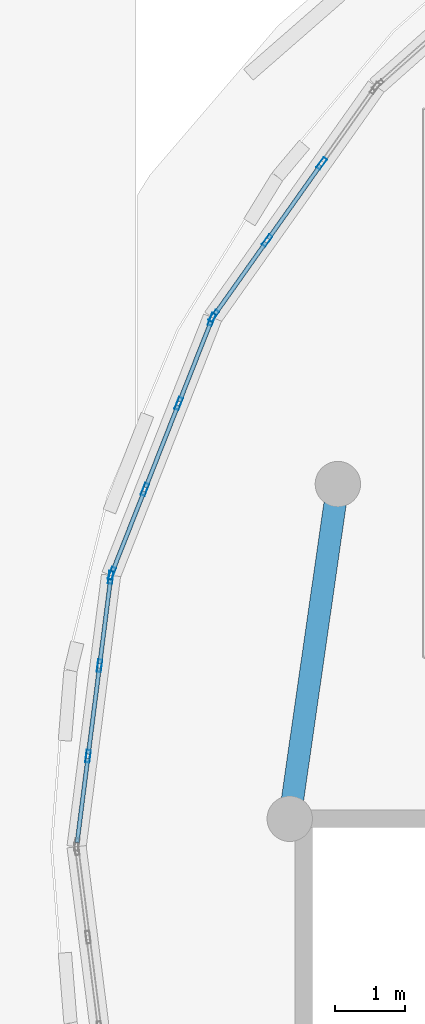
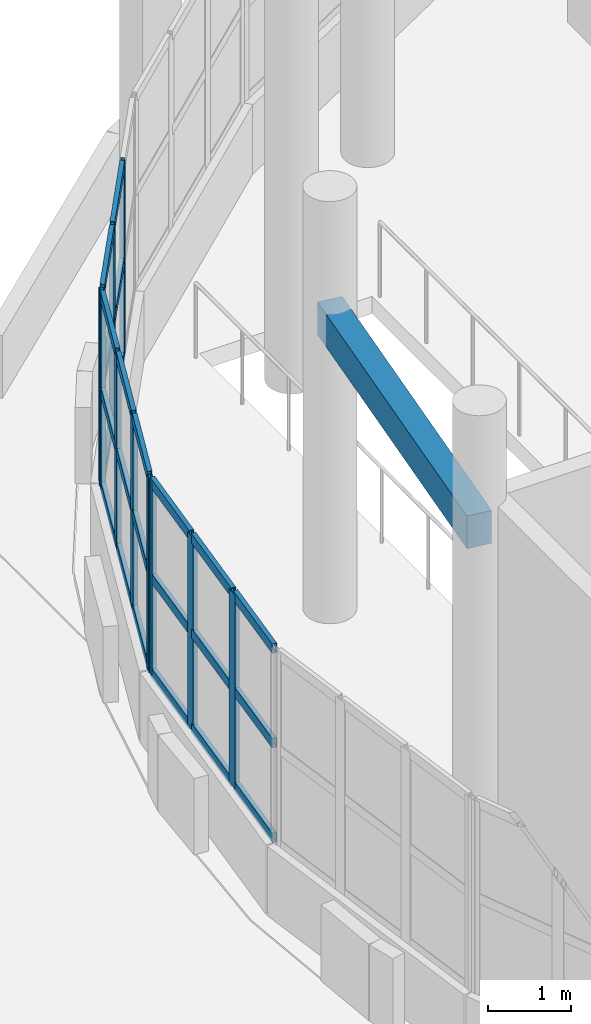
# One storey, part 6 of 105: 34 members, 1 beam, 3 elements without a shape of their own.
"""IFC4 building model written with IfcOpenShell, lengths in metres."""

import ifcopenshell
import ifcopenshell.guid

model = None  # the IFC model being written
_history = None  # IfcOwnerHistory: only IFC2X3 demands one
_inside = {}  # id of a spatial element -> (the spatial element, [elements in it])
_under = {}  # id of a project, library or spatial element -> (it, [spatial elements below it])
_declared = {}  # id of a project -> (the project, [libraries it declares])
_typed = {}  # id of a type object -> (the type object, [elements of that type])
_made_of = {}  # id of a material, layer set ... -> (it, [elements and type objects made of it])


def new_model(schema):
    """Start an empty IFC model of exactly this schema.

    Asked for "IFC4X3", IfcOpenShell would pick the latest addendum, in which some entities
    have other attributes; the version numbers below select the first issue.
    IFC2X3 requires an IfcOwnerHistory on every rooted entity: one is made here for all.
    """
    global model, _history
    if schema == "IFC4X3":
        model = ifcopenshell.file(schema_version=(4, 3, 0, 0))
    else:
        model = ifcopenshell.file(schema=schema)
    _inside.clear()
    _under.clear()
    _declared.clear()
    _typed.clear()
    _made_of.clear()
    _history = None
    if model.schema == "IFC2X3":
        org = make("IfcOrganization", Name="unknown")
        user = make(
            "IfcPersonAndOrganization",
            ThePerson=make("IfcPerson", FamilyName="unknown"),
            TheOrganization=org,
        )
        app = make(
            "IfcApplication",
            ApplicationDeveloper=org,
            Version="unknown",
            ApplicationFullName="unknown",
            ApplicationIdentifier="unknown",
        )
        _history = make(
            "IfcOwnerHistory",
            OwningUser=user,
            OwningApplication=app,
            ChangeAction="ADDED",
            CreationDate=0,
        )
    return model


def make(cls, **values):
    """One entity of the class cls with the attributes given. An attribute that is None is left unset."""
    return model.create_entity(
        cls, **{name: value for name, value in values.items() if value is not None}
    )


def rooted(cls, **values):
    """An entity with a GlobalId (a new one), such as an element, a storey or a relation."""
    return make(cls, GlobalId=ifcopenshell.guid.new(), OwnerHistory=_history, **values)


def si_unit(unit_type, name, prefix=None):
    """IfcSIUnit, for example si_unit("LENGTHUNIT", "METRE", prefix="MILLI")."""
    return make("IfcSIUnit", UnitType=unit_type, Prefix=prefix, Name=name)


def assignment(units):
    """IfcUnitAssignment: the units of a project."""
    return None if units is None else make("IfcUnitAssignment", Units=units)


def point(xyz):
    """IfcCartesianPoint."""
    return None if xyz is None else make("IfcCartesianPoint", Coordinates=xyz)


def direction(xyz):
    """IfcDirection."""
    return None if xyz is None else make("IfcDirection", DirectionRatios=xyz)


def frame(location, z_axis=None, x_axis=None):
    """IfcAxis2Placement3D, a coordinate frame: its origin and axes. An axis left out is left unset."""
    return make(
        "IfcAxis2Placement3D",
        Location=point(location),
        Axis=direction(z_axis),
        RefDirection=direction(x_axis),
    )


def frame_2d(location, x_axis=None):
    """IfcAxis2Placement2D, a coordinate frame in the plane: its origin and x axis."""
    return make(
        "IfcAxis2Placement2D", Location=point(location), RefDirection=direction(x_axis)
    )


def origin():
    """The frame at (0, 0, 0) with its axes left unset."""
    return frame((0.0, 0.0, 0.0))


def origin_2d():
    """The frame at (0, 0) in the plane with its x axis left unset."""
    return frame_2d((0.0, 0.0))


def place(relative_to, where):
    """IfcLocalPlacement: puts the frame where relative to a parent placement (None: the world)."""
    return make(
        "IfcLocalPlacement", PlacementRelTo=relative_to, RelativePlacement=where
    )


def context(
    kind, dimensions, precision=None, world=None, true_north=None, identifier=None
):
    """IfcGeometricRepresentationContext, for example the 3D "Model" context."""
    return make(
        "IfcGeometricRepresentationContext",
        ContextIdentifier=identifier,
        ContextType=kind,
        CoordinateSpaceDimension=dimensions,
        Precision=precision,
        WorldCoordinateSystem=world,
        TrueNorth=true_north,
    )


def subcontext(parent, identifier, kind, view, scale=None):
    """IfcGeometricRepresentationSubContext, for example "Body" below "Model"."""
    return make(
        "IfcGeometricRepresentationSubContext",
        ContextIdentifier=identifier,
        ContextType=kind,
        ParentContext=parent,
        TargetScale=scale,
        TargetView=view,
    )


def project(units=None, contexts=None):
    """IfcProject with its units and contexts."""
    return rooted(
        "IfcProject",
        Name="project",
        RepresentationContexts=contexts,
        UnitsInContext=assignment(units),
    )


def spatial(cls, under=None, at=None, **own):
    """A site, building, storey or space (cls), placed at a placement, below another one or the project."""
    s = rooted(cls, ObjectPlacement=at, **own)
    if under is not None:
        _under.setdefault(under.id(), (under, []))[1].append(s)
    return s


def profile(cls, at=None, kind="AREA", **sizes):
    """A parametric profile (cls). Its sizes go by their IFC names, for example OverallWidth=200.0."""
    return make(cls, ProfileType=kind, Position=at, **sizes)


def rectangle(**sizes):
    """IfcRectangleProfileDef."""
    return profile("IfcRectangleProfileDef", **sizes)


def hollow_rectangle(**sizes):
    """IfcRectangleHollowProfileDef."""
    return profile("IfcRectangleHollowProfileDef", **sizes)


def extrude(swept, where, along, depth):
    """IfcExtrudedAreaSolid: the profile swept, set in the frame where, extruded along a direction by depth."""
    return make(
        "IfcExtrudedAreaSolid",
        SweptArea=swept,
        Position=where,
        ExtrudedDirection=direction(along),
        Depth=depth,
    )


def shape(context_of_items, identifier, shape_type, items):
    """IfcShapeRepresentation: the items that make up one representation, for example the "Body"."""
    return make(
        "IfcShapeRepresentation",
        ContextOfItems=context_of_items,
        RepresentationIdentifier=identifier,
        RepresentationType=shape_type,
        Items=items,
    )


def material(Name=None, Category=None):
    """IfcMaterial."""
    return make("IfcMaterial", Name=Name, Category=Category)


def layer(
    of_material, thickness, ventilated=None, Name=None, Category=None, Priority=None
):
    """IfcMaterialLayer: one layer of a wall or slab, of a material (None: an air gap)."""
    return make(
        "IfcMaterialLayer",
        Material=of_material,
        LayerThickness=thickness,
        IsVentilated=ventilated,
        Name=Name,
        Category=Category,
        Priority=Priority,
    )


def layer_set(layers, Name=None):
    """IfcMaterialLayerSet."""
    return make("IfcMaterialLayerSet", MaterialLayers=layers, LayerSetName=Name)


def material_profile(
    of_material, cross_section, Name=None, Category=None, Priority=None
):
    """IfcMaterialProfile: a cross section and its material."""
    return make(
        "IfcMaterialProfile",
        Name=Name,
        Material=of_material,
        Profile=cross_section,
        Priority=Priority,
        Category=Category,
    )


def profile_set(profiles, Name=None, composite=None):
    """IfcMaterialProfileSet."""
    return make(
        "IfcMaterialProfileSet",
        Name=Name,
        MaterialProfiles=profiles,
        CompositeProfile=composite,
    )


def made_of(thing, what):
    """Note that an element or type object is made of a material, layer set ...; save() writes the relation."""
    if what is not None:
        _made_of.setdefault(what.id(), (what, []))[1].append(thing)
    return thing


def type_object(cls, material=None, **own):
    """A type object (cls), such as IfcWallType, which elements share."""
    return made_of(rooted(cls, **own), material)


def element(
    cls,
    number,
    at=None,
    inside=None,
    cuts=None,
    type_object=None,
    material=None,
    context=None,
    identifier="Body",
    shape_type=None,
    held_by="IfcProductDefinitionShape",
    body=None,
    shapes=None,
    **own,
):
    """One element of the class cls, such as IfcWall. Its Tag is "e" and its number.

    at: its placement. inside: the storey or other place that contains it. cuts: it is an
    opening in that element (IfcRelVoidsElement). A single representation is given by context,
    identifier, shape_type and body (its items); several are given by shapes. held_by: the class
    of the entity that holds the representations. save() writes the other relations.
    """
    e = rooted(cls, Tag="e%d" % number, ObjectPlacement=at, **own)
    if body is not None:
        shapes = [shape(context, identifier, shape_type, body)]
    if shapes is not None:
        e.Representation = make(held_by, Representations=shapes)
    if inside is not None:
        _inside.setdefault(inside.id(), (inside, []))[1].append(e)
    if cuts is not None:
        rooted(
            "IfcRelVoidsElement", RelatingBuildingElement=cuts, RelatedOpeningElement=e
        )
    if type_object is not None:
        _typed.setdefault(type_object.id(), (type_object, []))[1].append(e)
    return made_of(e, material)


def aggregate(whole, parts):
    """IfcRelAggregates: a whole, such as a stair, and the parts it consists of."""
    return rooted("IfcRelAggregates", RelatingObject=whole, RelatedObjects=parts)


def save(model, path):
    """Write the relations noted so far, then the file.

    IfcRelAggregates (storeys below a building ...), IfcRelContainedInSpatialStructure (elements
    in a storey), IfcRelDefinesByType, IfcRelAssociatesMaterial and IfcRelDeclares: one each for
    every whole, place, type object, material and project.
    """
    for whole, parts in _under.values():
        aggregate(whole, parts)
    for where, things in _inside.values():
        rooted(
            "IfcRelContainedInSpatialStructure",
            RelatedElements=things,
            RelatingStructure=where,
        )
    for kind, things in _typed.values():
        rooted("IfcRelDefinesByType", RelatedObjects=things, RelatingType=kind)
    for what, things in _made_of.values():
        rooted("IfcRelAssociatesMaterial", RelatedObjects=things, RelatingMaterial=what)
    for by, libraries in _declared.values():
        rooted("IfcRelDeclares", RelatingContext=by, RelatedDefinitions=libraries)
    model.write(path)


model = new_model("IFC4")

# Units and contexts
model_context = context("Model", 3, precision=1e-05, world=origin(), true_north=direction((0.0, 1.0)))
body_context = subcontext(model_context, "Body", "Model", "MODEL_VIEW")
ifc_project = project(units=[si_unit("LENGTHUNIT", "METRE"), si_unit("AREAUNIT", "SQUARE_METRE"), si_unit("VOLUMEUNIT", "CUBIC_METRE"), si_unit("PLANEANGLEUNIT", "RADIAN"), si_unit("MASSUNIT", "GRAM", prefix="KILO")], contexts=[model_context])

# Site, building, storey
site_placement = place(None, origin())
site = spatial("IfcSite", under=ifc_project, at=site_placement, CompositionType="ELEMENT")
building_placement = place(site_placement, origin())
building = spatial("IfcBuilding", under=site, at=building_placement, Name="Pelvatis Terrace Science Centre", CompositionType="ELEMENT")
storey_placement = place(building_placement, frame((0.0, 0.0, 10.199951171875)))
storey = spatial("IfcBuildingStorey", under=building, at=storey_placement, Name="L02", CompositionType="ELEMENT", Elevation=10.199951171875)

# Beam
ifc_material_1 = material(Name="Concrete C35/45", Category="concrete")
ifc_material_profile_1 = material_profile(ifc_material_1, rectangle(XDim=0.320068359375, YDim=0.47998046875, at=origin_2d()), Name="RC-BM 320x480")
ifc_profile_set_1 = profile_set([ifc_material_profile_1], Name="Concrete C35/45")
beam_type = type_object("IfcBeamType", Name="BM-RC-320x480", PredefinedType="BEAM", material=ifc_profile_set_1)
beam_placement = place(storey_placement, frame((61.688720703125, 59.389404296875, 4.300048828125), z_axis=(-0.142339615489, -0.989817879139, 0.0), x_axis=(0.989817879139, -0.142339615489, 0.0)))
element("IfcBeam", 1, at=beam_placement, inside=storey, type_object=beam_type, Name="Beam BM-L02-2879", PredefinedType="BEAM", context=body_context, shape_type="SweptSolid", body=[
    extrude(rectangle(XDim=0.320068359375, YDim=0.47998046875, at=origin_2d()), origin(), (0.0, 0.0, 1.0), 4.838623046875),
])

# Curtain wall, members
ifc_material_2 = material(Name="Bronze-anodised aluminium and laminated glass", Category="aluminium")
ifc_layer = layer(ifc_material_2, 0.179931640625)
ifc_layer_set = layer_set([ifc_layer], Name="Bronze-anodised aluminium and laminated glass")
curtain_wall_type = type_object("IfcCurtainWallType", Name="CW-RIBBON-A", PredefinedType="NOTDEFINED", material=ifc_layer_set)
curtain_wall_1_placement = place(storey_placement, origin())
curtain_wall_1 = element("IfcCurtainWall", 2, at=curtain_wall_1_placement, inside=storey, type_object=curtain_wall_type, Name="Ribbon curtain wall CW-084 (L02)", PredefinedType="NOTDEFINED")
ifc_material_3 = material(Name="Bronze-anodised aluminium 6063-T6", Category="aluminium")
ifc_material_profile_2 = material_profile(ifc_material_3, hollow_rectangle(XDim=0.06005859375, YDim=0.179931640625, WallThickness=0.00390625, at=origin_2d()), Name="ALU-MUL 60x180")
ifc_profile_set_2 = profile_set([ifc_material_profile_2], Name="Bronze-anodised aluminium 6063-T6")
member_type_1 = type_object("IfcMemberType", Name="CWM-60x180", PredefinedType="MULLION", material=ifc_profile_set_2)
member_1_placement = place(storey_placement, frame((61.456787109375, 63.97705078125, 1.02001953125), z_axis=(0.0, 0.0, 1.0), x_axis=(0.8163259778, -0.57759146286, 0.0)))
member_1 = element("IfcMember", 3, at=member_1_placement, type_object=member_type_1, Name="CW-084 mullion 2", PredefinedType="MULLION", context=body_context, shape_type="SweptSolid", body=[
    extrude(hollow_rectangle(XDim=0.06005859375, YDim=0.179931640625, WallThickness=0.00390625, at=origin_2d()), origin(), (0.0, 0.0, 1.0), 2.840087890625),
])
member_2_placement = place(storey_placement, frame((60.67626953125, 62.874267578125, 1.02001953125), z_axis=(0.0, 0.0, 1.0), x_axis=(0.8163259778, -0.57759146286, 0.0)))
member_2 = element("IfcMember", 4, at=member_2_placement, type_object=member_type_1, Name="CW-084 mullion 3", PredefinedType="MULLION", context=body_context, shape_type="SweptSolid", body=[
    extrude(hollow_rectangle(XDim=0.06005859375, YDim=0.179931640625, WallThickness=0.00390625, at=origin_2d()), origin(), (0.0, 0.0, 1.0), 2.840087890625),
])
member_3_placement = place(storey_placement, frame((59.913330078125, 61.7958984375, 1.02001953125), z_axis=(0.0, 0.0, 1.0), x_axis=(0.8163259778, -0.57759146286, 0.0)))
member_3 = element("IfcMember", 5, at=member_3_placement, type_object=member_type_1, Name="CW-084 mullion 4", PredefinedType="MULLION", context=body_context, shape_type="SweptSolid", body=[
    extrude(hollow_rectangle(XDim=0.06005859375, YDim=0.179931640625, WallThickness=0.00390625, at=origin_2d()), origin(), (0.0, 0.0, 1.0), 2.840087890625),
])

curtain_wall_2_placement = place(storey_placement, origin())
curtain_wall_2 = element("IfcCurtainWall", 6, at=curtain_wall_2_placement, inside=storey, type_object=curtain_wall_type, Name="Ribbon curtain wall CW-085 (L02)", PredefinedType="NOTDEFINED")
member_4_placement = place(storey_placement, frame((59.885009765625, 61.743408203125, 1.02001953125), z_axis=(0.0, 0.0, 1.0), x_axis=(0.930379715899, -0.366597305287, 0.0)))
member_4 = element("IfcMember", 7, at=member_4_placement, type_object=member_type_1, Name="CW-085 mullion 1", PredefinedType="MULLION", context=body_context, shape_type="SweptSolid", body=[
    extrude(hollow_rectangle(XDim=0.06005859375, YDim=0.179931640625, WallThickness=0.00390625, at=origin_2d()), origin(), (0.0, 0.0, 1.0), 2.840087890625),
])
member_5_placement = place(storey_placement, frame((59.41162109375, 60.541748046875, 1.02001953125), z_axis=(0.0, 0.0, 1.0), x_axis=(0.930379715899, -0.366597305287, 0.0)))
member_5 = element("IfcMember", 8, at=member_5_placement, type_object=member_type_1, Name="CW-085 mullion 2", PredefinedType="MULLION", context=body_context, shape_type="SweptSolid", body=[
    extrude(hollow_rectangle(XDim=0.06005859375, YDim=0.179931640625, WallThickness=0.00390625, at=origin_2d()), origin(), (0.0, 0.0, 1.0), 2.840087890625),
])
member_6_placement = place(storey_placement, frame((58.92724609375, 59.3125, 1.02001953125), z_axis=(0.0, 0.0, 1.0), x_axis=(0.930379715899, -0.366597305287, 0.0)))
member_6 = element("IfcMember", 9, at=member_6_placement, type_object=member_type_1, Name="CW-085 mullion 3", PredefinedType="MULLION", context=body_context, shape_type="SweptSolid", body=[
    extrude(hollow_rectangle(XDim=0.06005859375, YDim=0.179931640625, WallThickness=0.00390625, at=origin_2d()), origin(), (0.0, 0.0, 1.0), 2.840087890625),
])
member_7_placement = place(storey_placement, frame((58.45361328125, 58.11083984375, 1.02001953125), z_axis=(0.0, 0.0, 1.0), x_axis=(0.930379715899, -0.366597305287, 0.0)))
member_7 = element("IfcMember", 10, at=member_7_placement, type_object=member_type_1, Name="CW-085 mullion 4", PredefinedType="MULLION", context=body_context, shape_type="SweptSolid", body=[
    extrude(hollow_rectangle(XDim=0.06005859375, YDim=0.179931640625, WallThickness=0.00390625, at=origin_2d()), origin(), (0.0, 0.0, 1.0), 2.840087890625),
])

curtain_wall_3_placement = place(storey_placement, origin())
curtain_wall_3 = element("IfcCurtainWall", 11, at=curtain_wall_3_placement, inside=storey, type_object=curtain_wall_type, Name="Ribbon curtain wall CW-086 (L02)", PredefinedType="NOTDEFINED")
member_8_placement = place(storey_placement, frame((58.43896484375, 58.05322265625, 1.02001953125), z_axis=(0.0, 0.0, 1.0), x_axis=(0.992045836863, -0.125877152665, 0.0)))
member_8 = element("IfcMember", 12, at=member_8_placement, type_object=member_type_1, Name="CW-086 mullion 1", PredefinedType="MULLION", context=body_context, shape_type="SweptSolid", body=[
    extrude(hollow_rectangle(XDim=0.06005859375, YDim=0.179931640625, WallThickness=0.00390625, at=origin_2d()), origin(), (0.0, 0.0, 1.0), 2.840087890625),
])
member_9_placement = place(storey_placement, frame((58.278564453125, 56.78857421875, 1.02001953125), z_axis=(0.0, 0.0, 1.0), x_axis=(0.992045836863, -0.125877152665, 0.0)))
member_9 = element("IfcMember", 13, at=member_9_placement, type_object=member_type_1, Name="CW-086 mullion 2", PredefinedType="MULLION", context=body_context, shape_type="SweptSolid", body=[
    extrude(hollow_rectangle(XDim=0.06005859375, YDim=0.179931640625, WallThickness=0.00390625, at=origin_2d()), origin(), (0.0, 0.0, 1.0), 2.840087890625),
])
member_10_placement = place(storey_placement, frame((58.1142578125, 55.494384765625, 1.02001953125), z_axis=(0.0, 0.0, 1.0), x_axis=(0.992045836863, -0.125877152665, 0.0)))
member_10 = element("IfcMember", 14, at=member_10_placement, type_object=member_type_1, Name="CW-086 mullion 3", PredefinedType="MULLION", context=body_context, shape_type="SweptSolid", body=[
    extrude(hollow_rectangle(XDim=0.06005859375, YDim=0.179931640625, WallThickness=0.00390625, at=origin_2d()), origin(), (0.0, 0.0, 1.0), 2.840087890625),
])

# Member
ifc_material_4 = material(Name="Bronze-anodised aluminium 6063-T6", Category="aluminium")
ifc_material_profile_3 = material_profile(ifc_material_4, hollow_rectangle(XDim=0.06005859375, YDim=0.139892578125, WallThickness=0.00390625, at=origin_2d()), Name="ALU-TRN 60x140")
ifc_profile_set_3 = profile_set([ifc_material_profile_3], Name="Bronze-anodised aluminium 6063-T6")
member_type_2 = type_object("IfcMemberType", Name="CWT-60x140", PredefinedType="USERDEFINED", material=ifc_profile_set_3)
member_11_placement = place(storey_placement, frame((61.439453125, 63.95263671875, 1.050048828125), z_axis=(-0.57765528958, -0.816280813459, 0.0), x_axis=(0.816280813459, -0.57765528958, 0.0)))
member_11 = element("IfcMember", 15, at=member_11_placement, type_object=member_type_2, Name="CW-084 transom 2.1", ObjectType="TRANSOM", PredefinedType="USERDEFINED", context=body_context, shape_type="SweptSolid", body=[
    extrude(hollow_rectangle(XDim=0.06005859375, YDim=0.139892578125, WallThickness=0.00390625, at=origin_2d()), origin(), (0.0, 0.0, 1.0), 1.291259765625),
])

member_12_placement = place(storey_placement, frame((61.439453125, 63.95263671875, 2.43994140625), z_axis=(-0.57765528958, -0.816280813459, 0.0), x_axis=(0.816280813459, -0.57765528958, 0.0)))
member_12 = element("IfcMember", 16, at=member_12_placement, type_object=member_type_2, Name="CW-084 transom 2.2", ObjectType="TRANSOM", PredefinedType="USERDEFINED", context=body_context, shape_type="SweptSolid", body=[
    extrude(hollow_rectangle(XDim=0.06005859375, YDim=0.139892578125, WallThickness=0.00390625, at=origin_2d()), origin(), (0.0, 0.0, 1.0), 1.291259765625),
])

member_13_placement = place(storey_placement, frame((61.439453125, 63.95263671875, 3.830078125), z_axis=(-0.57765528958, -0.816280813459, 0.0), x_axis=(0.816280813459, -0.57765528958, 0.0)))
member_13 = element("IfcMember", 17, at=member_13_placement, type_object=member_type_2, Name="CW-084 transom 2.3", ObjectType="TRANSOM", PredefinedType="USERDEFINED", context=body_context, shape_type="SweptSolid", body=[
    extrude(hollow_rectangle(XDim=0.06005859375, YDim=0.139892578125, WallThickness=0.00390625, at=origin_2d()), origin(), (0.0, 0.0, 1.0), 1.291259765625),
])

member_14_placement = place(storey_placement, frame((60.658935546875, 62.849609375, 1.050048828125), z_axis=(-0.577587477213, -0.81632879783, 0.0), x_axis=(0.81632879783, -0.577587477213, 0.0)))
member_14 = element("IfcMember", 18, at=member_14_placement, type_object=member_type_2, Name="CW-084 transom 3.1", ObjectType="TRANSOM", PredefinedType="USERDEFINED", context=body_context, shape_type="SweptSolid", body=[
    extrude(hollow_rectangle(XDim=0.06005859375, YDim=0.139892578125, WallThickness=0.00390625, at=origin_2d()), origin(), (0.0, 0.0, 1.0), 1.260986328125),
])

member_15_placement = place(storey_placement, frame((60.658935546875, 62.849609375, 2.43994140625), z_axis=(-0.577587477213, -0.81632879783, 0.0), x_axis=(0.81632879783, -0.577587477213, 0.0)))
member_15 = element("IfcMember", 19, at=member_15_placement, type_object=member_type_2, Name="CW-084 transom 3.2", ObjectType="TRANSOM", PredefinedType="USERDEFINED", context=body_context, shape_type="SweptSolid", body=[
    extrude(hollow_rectangle(XDim=0.06005859375, YDim=0.139892578125, WallThickness=0.00390625, at=origin_2d()), origin(), (0.0, 0.0, 1.0), 1.260986328125),
])

member_16_placement = place(storey_placement, frame((60.658935546875, 62.849609375, 3.830078125), z_axis=(-0.577587477213, -0.81632879783, 0.0), x_axis=(0.81632879783, -0.577587477213, 0.0)))
member_16 = element("IfcMember", 20, at=member_16_placement, type_object=member_type_2, Name="CW-084 transom 3.3", ObjectType="TRANSOM", PredefinedType="USERDEFINED", context=body_context, shape_type="SweptSolid", body=[
    extrude(hollow_rectangle(XDim=0.06005859375, YDim=0.139892578125, WallThickness=0.00390625, at=origin_2d()), origin(), (0.0, 0.0, 1.0), 1.260986328125),
])

aggregate(curtain_wall_1, [member_1, member_2, member_3, member_11, member_12, member_13, member_14, member_15, member_16])

member_17_placement = place(storey_placement, frame((59.8740234375, 61.715576171875, 1.050048828125), z_axis=(-0.366566122362, -0.930392002296, 0.0), x_axis=(0.930392002296, -0.366566122362, 0.0)))
member_17 = element("IfcMember", 21, at=member_17_placement, type_object=member_type_2, Name="CW-085 transom 1.1", ObjectType="TRANSOM", PredefinedType="USERDEFINED", context=body_context, shape_type="SweptSolid", body=[
    extrude(hollow_rectangle(XDim=0.06005859375, YDim=0.139892578125, WallThickness=0.00390625, at=origin_2d()), origin(), (0.0, 0.0, 1.0), 1.2314453125),
])

member_18_placement = place(storey_placement, frame((59.8740234375, 61.715576171875, 2.43994140625), z_axis=(-0.366566122362, -0.930392002296, 0.0), x_axis=(0.930392002296, -0.366566122362, 0.0)))
member_18 = element("IfcMember", 22, at=member_18_placement, type_object=member_type_2, Name="CW-085 transom 1.2", ObjectType="TRANSOM", PredefinedType="USERDEFINED", context=body_context, shape_type="SweptSolid", body=[
    extrude(hollow_rectangle(XDim=0.06005859375, YDim=0.139892578125, WallThickness=0.00390625, at=origin_2d()), origin(), (0.0, 0.0, 1.0), 1.2314453125),
])

member_19_placement = place(storey_placement, frame((59.8740234375, 61.715576171875, 3.830078125), z_axis=(-0.366566122362, -0.930392002296, 0.0), x_axis=(0.930392002296, -0.366566122362, 0.0)))
member_19 = element("IfcMember", 23, at=member_19_placement, type_object=member_type_2, Name="CW-085 transom 1.3", ObjectType="TRANSOM", PredefinedType="USERDEFINED", context=body_context, shape_type="SweptSolid", body=[
    extrude(hollow_rectangle(XDim=0.06005859375, YDim=0.139892578125, WallThickness=0.00390625, at=origin_2d()), origin(), (0.0, 0.0, 1.0), 1.2314453125),
])

member_20_placement = place(storey_placement, frame((59.400634765625, 60.513916015625, 1.050048828125), z_axis=(-0.366580366698, -0.930386390029, 0.0), x_axis=(0.930386390029, -0.366580366698, 0.0)))
member_20 = element("IfcMember", 24, at=member_20_placement, type_object=member_type_2, Name="CW-085 transom 2.1", ObjectType="TRANSOM", PredefinedType="USERDEFINED", context=body_context, shape_type="SweptSolid", body=[
    extrude(hollow_rectangle(XDim=0.06005859375, YDim=0.139892578125, WallThickness=0.00390625, at=origin_2d()), origin(), (0.0, 0.0, 1.0), 1.261474609375),
])

member_21_placement = place(storey_placement, frame((59.400634765625, 60.513916015625, 2.43994140625), z_axis=(-0.366580366698, -0.930386390029, 0.0), x_axis=(0.930386390029, -0.366580366698, 0.0)))
member_21 = element("IfcMember", 25, at=member_21_placement, type_object=member_type_2, Name="CW-085 transom 2.2", ObjectType="TRANSOM", PredefinedType="USERDEFINED", context=body_context, shape_type="SweptSolid", body=[
    extrude(hollow_rectangle(XDim=0.06005859375, YDim=0.139892578125, WallThickness=0.00390625, at=origin_2d()), origin(), (0.0, 0.0, 1.0), 1.261474609375),
])

member_22_placement = place(storey_placement, frame((59.400634765625, 60.513916015625, 3.830078125), z_axis=(-0.366580366698, -0.930386390029, 0.0), x_axis=(0.930386390029, -0.366580366698, 0.0)))
member_22 = element("IfcMember", 26, at=member_22_placement, type_object=member_type_2, Name="CW-085 transom 2.3", ObjectType="TRANSOM", PredefinedType="USERDEFINED", context=body_context, shape_type="SweptSolid", body=[
    extrude(hollow_rectangle(XDim=0.06005859375, YDim=0.139892578125, WallThickness=0.00390625, at=origin_2d()), origin(), (0.0, 0.0, 1.0), 1.261474609375),
])

member_23_placement = place(storey_placement, frame((58.916015625, 59.284423828125, 1.050048828125), z_axis=(-0.366633747413, -0.930365355792, 0.0), x_axis=(0.930365355792, -0.366633747413, 0.0)))
member_23 = element("IfcMember", 27, at=member_23_placement, type_object=member_type_2, Name="CW-085 transom 3.1", ObjectType="TRANSOM", PredefinedType="USERDEFINED", context=body_context, shape_type="SweptSolid", body=[
    extrude(hollow_rectangle(XDim=0.06005859375, YDim=0.139892578125, WallThickness=0.00390625, at=origin_2d()), origin(), (0.0, 0.0, 1.0), 1.231201171875),
])

member_24_placement = place(storey_placement, frame((58.916015625, 59.284423828125, 2.43994140625), z_axis=(-0.366633747413, -0.930365355792, 0.0), x_axis=(0.930365355792, -0.366633747413, 0.0)))
member_24 = element("IfcMember", 28, at=member_24_placement, type_object=member_type_2, Name="CW-085 transom 3.2", ObjectType="TRANSOM", PredefinedType="USERDEFINED", context=body_context, shape_type="SweptSolid", body=[
    extrude(hollow_rectangle(XDim=0.06005859375, YDim=0.139892578125, WallThickness=0.00390625, at=origin_2d()), origin(), (0.0, 0.0, 1.0), 1.231201171875),
])

member_25_placement = place(storey_placement, frame((58.916015625, 59.284423828125, 3.830078125), z_axis=(-0.366633747413, -0.930365355792, 0.0), x_axis=(0.930365355792, -0.366633747413, 0.0)))
member_25 = element("IfcMember", 29, at=member_25_placement, type_object=member_type_2, Name="CW-085 transom 3.3", ObjectType="TRANSOM", PredefinedType="USERDEFINED", context=body_context, shape_type="SweptSolid", body=[
    extrude(hollow_rectangle(XDim=0.06005859375, YDim=0.139892578125, WallThickness=0.00390625, at=origin_2d()), origin(), (0.0, 0.0, 1.0), 1.231201171875),
])

aggregate(curtain_wall_2, [member_4, member_5, member_6, member_7, member_17, member_18, member_19, member_20, member_21, member_22, member_23, member_24, member_25])

member_26_placement = place(storey_placement, frame((58.43505859375, 58.0234375, 1.050048828125), z_axis=(-0.125815556184, -0.992053650677, 0.0), x_axis=(0.992053650677, -0.125815556184, 0.0)))
member_26 = element("IfcMember", 30, at=member_26_placement, type_object=member_type_2, Name="CW-086 transom 1.1", ObjectType="TRANSOM", PredefinedType="USERDEFINED", context=body_context, shape_type="SweptSolid", body=[
    extrude(hollow_rectangle(XDim=0.06005859375, YDim=0.139892578125, WallThickness=0.00390625, at=origin_2d()), origin(), (0.0, 0.0, 1.0), 1.21484375),
])

member_27_placement = place(storey_placement, frame((58.43505859375, 58.0234375, 2.43994140625), z_axis=(-0.125815556184, -0.992053650677, 0.0), x_axis=(0.992053650677, -0.125815556184, 0.0)))
member_27 = element("IfcMember", 31, at=member_27_placement, type_object=member_type_2, Name="CW-086 transom 1.2", ObjectType="TRANSOM", PredefinedType="USERDEFINED", context=body_context, shape_type="SweptSolid", body=[
    extrude(hollow_rectangle(XDim=0.06005859375, YDim=0.139892578125, WallThickness=0.00390625, at=origin_2d()), origin(), (0.0, 0.0, 1.0), 1.21484375),
])

member_28_placement = place(storey_placement, frame((58.43505859375, 58.0234375, 3.830078125), z_axis=(-0.125815556184, -0.992053650677, 0.0), x_axis=(0.992053650677, -0.125815556184, 0.0)))
member_28 = element("IfcMember", 32, at=member_28_placement, type_object=member_type_2, Name="CW-086 transom 1.3", ObjectType="TRANSOM", PredefinedType="USERDEFINED", context=body_context, shape_type="SweptSolid", body=[
    extrude(hollow_rectangle(XDim=0.06005859375, YDim=0.139892578125, WallThickness=0.00390625, at=origin_2d()), origin(), (0.0, 0.0, 1.0), 1.21484375),
])

member_29_placement = place(storey_placement, frame((58.274658203125, 56.7587890625, 1.050048828125), z_axis=(-0.125941892838, -0.992037620067, 0.0), x_axis=(0.992037620067, -0.125941892838, 0.0)))
member_29 = element("IfcMember", 33, at=member_29_placement, type_object=member_type_2, Name="CW-086 transom 2.1", ObjectType="TRANSOM", PredefinedType="USERDEFINED", context=body_context, shape_type="SweptSolid", body=[
    extrude(hollow_rectangle(XDim=0.06005859375, YDim=0.139892578125, WallThickness=0.00390625, at=origin_2d()), origin(), (0.0, 0.0, 1.0), 1.24462890625),
])

member_30_placement = place(storey_placement, frame((58.274658203125, 56.7587890625, 2.43994140625), z_axis=(-0.125941892838, -0.992037620067, 0.0), x_axis=(0.992037620067, -0.125941892838, 0.0)))
member_30 = element("IfcMember", 34, at=member_30_placement, type_object=member_type_2, Name="CW-086 transom 2.2", ObjectType="TRANSOM", PredefinedType="USERDEFINED", context=body_context, shape_type="SweptSolid", body=[
    extrude(hollow_rectangle(XDim=0.06005859375, YDim=0.139892578125, WallThickness=0.00390625, at=origin_2d()), origin(), (0.0, 0.0, 1.0), 1.24462890625),
])

member_31_placement = place(storey_placement, frame((58.274658203125, 56.7587890625, 3.830078125), z_axis=(-0.125941892838, -0.992037620067, 0.0), x_axis=(0.992037620067, -0.125941892838, 0.0)))
member_31 = element("IfcMember", 35, at=member_31_placement, type_object=member_type_2, Name="CW-086 transom 2.3", ObjectType="TRANSOM", PredefinedType="USERDEFINED", context=body_context, shape_type="SweptSolid", body=[
    extrude(hollow_rectangle(XDim=0.06005859375, YDim=0.139892578125, WallThickness=0.00390625, at=origin_2d()), origin(), (0.0, 0.0, 1.0), 1.24462890625),
])

member_32_placement = place(storey_placement, frame((58.1103515625, 55.464599609375, 1.050048828125), z_axis=(-0.125815556184, -0.992053650677, 0.0), x_axis=(0.992053650677, -0.125815556184, 0.0)))
member_32 = element("IfcMember", 36, at=member_32_placement, type_object=member_type_2, Name="CW-086 transom 3.1", ObjectType="TRANSOM", PredefinedType="USERDEFINED", context=body_context, shape_type="SweptSolid", body=[
    extrude(hollow_rectangle(XDim=0.06005859375, YDim=0.139892578125, WallThickness=0.00390625, at=origin_2d()), origin(), (0.0, 0.0, 1.0), 1.21484375),
])

member_33_placement = place(storey_placement, frame((58.1103515625, 55.464599609375, 2.43994140625), z_axis=(-0.125815556184, -0.992053650677, 0.0), x_axis=(0.992053650677, -0.125815556184, 0.0)))
member_33 = element("IfcMember", 37, at=member_33_placement, type_object=member_type_2, Name="CW-086 transom 3.2", ObjectType="TRANSOM", PredefinedType="USERDEFINED", context=body_context, shape_type="SweptSolid", body=[
    extrude(hollow_rectangle(XDim=0.06005859375, YDim=0.139892578125, WallThickness=0.00390625, at=origin_2d()), origin(), (0.0, 0.0, 1.0), 1.21484375),
])

member_34_placement = place(storey_placement, frame((58.1103515625, 55.464599609375, 3.830078125), z_axis=(-0.125815556184, -0.992053650677, 0.0), x_axis=(0.992053650677, -0.125815556184, 0.0)))
member_34 = element("IfcMember", 38, at=member_34_placement, type_object=member_type_2, Name="CW-086 transom 3.3", ObjectType="TRANSOM", PredefinedType="USERDEFINED", context=body_context, shape_type="SweptSolid", body=[
    extrude(hollow_rectangle(XDim=0.06005859375, YDim=0.139892578125, WallThickness=0.00390625, at=origin_2d()), origin(), (0.0, 0.0, 1.0), 1.21484375),
])

aggregate(curtain_wall_3, [member_8, member_9, member_10, member_26, member_27, member_28, member_29, member_30, member_31, member_32, member_33, member_34])

save(model, "model.ifc")
